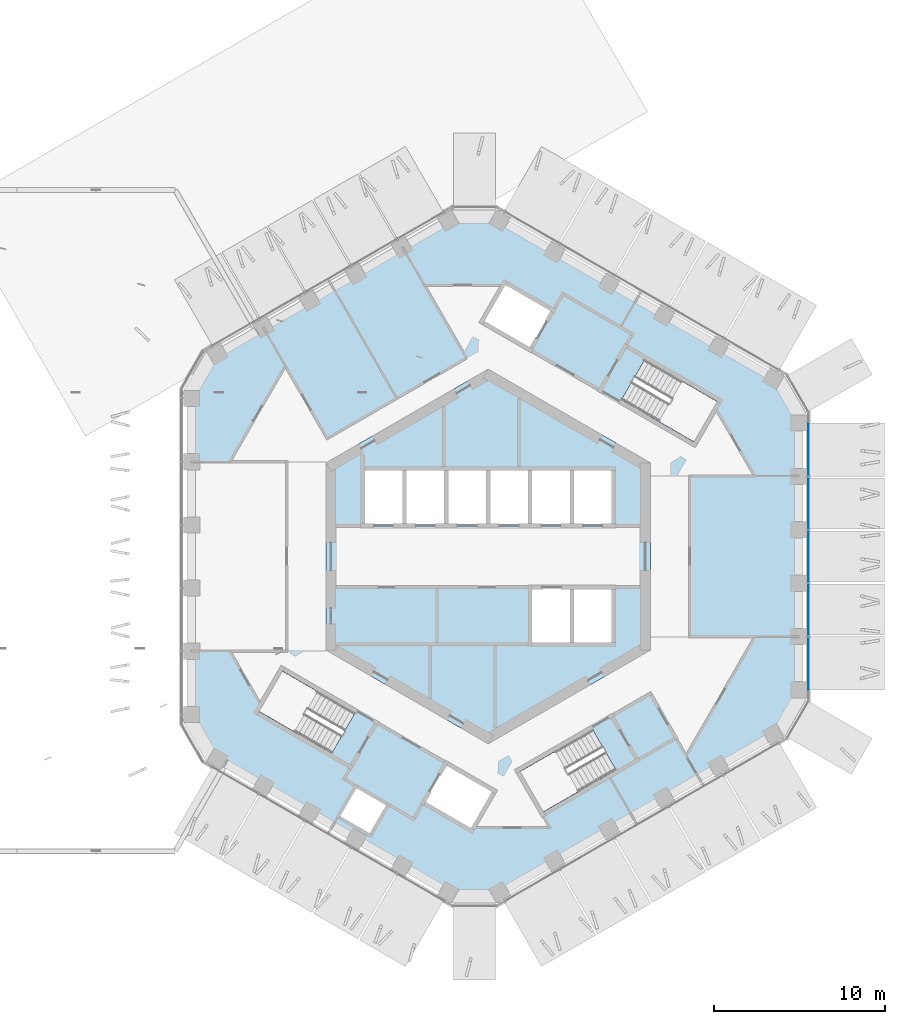
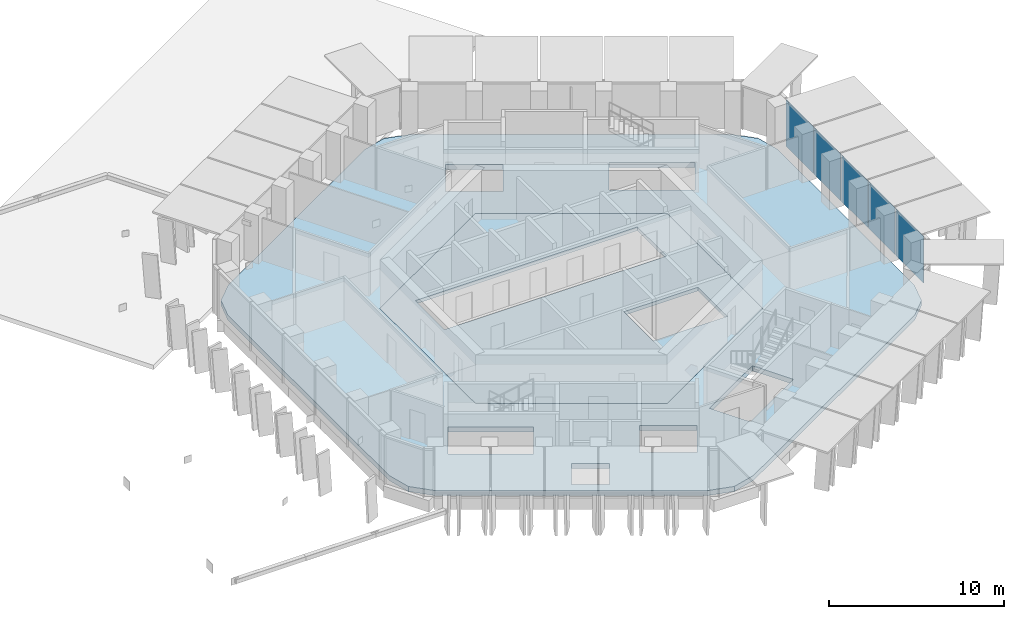
# One storey, part 9 of 23: 5 plates, 2 slabs, 1 element without a shape of its own.
"""IFC4 building model written with IfcOpenShell, lengths in metres."""

from ifc_helpers import new_model, si_unit, direction, frame, origin, origin_2d, place, context, subcontext, project, spatial, polyline, rectangle, outline, extrude, material, layer, layer_set, type_object, element, aggregate, save


model = new_model("IFC4")

# Units and contexts
model_context = context("Model", 3, precision=1e-05, world=origin(), true_north=direction((0.0, 1.0)))
body_context = subcontext(model_context, "Body", "Model", "MODEL_VIEW")
ifc_project = project(units=[si_unit("LENGTHUNIT", "METRE"), si_unit("AREAUNIT", "SQUARE_METRE"), si_unit("VOLUMEUNIT", "CUBIC_METRE"), si_unit("PLANEANGLEUNIT", "RADIAN"), si_unit("MASSUNIT", "GRAM", prefix="KILO")], contexts=[model_context])

# Site, building, storey
site_placement = place(None, origin())
site = spatial("IfcSite", under=ifc_project, at=site_placement, CompositionType="ELEMENT")
building_placement = place(site_placement, origin())
building = spatial("IfcBuilding", under=site, at=building_placement, Name="Ayvan Gate Tower", CompositionType="ELEMENT")
storey_placement = place(building_placement, frame((0.0, 0.0, 198.699951171875)))
storey = spatial("IfcBuildingStorey", under=building, at=storey_placement, Name="L53", CompositionType="ELEMENT", Elevation=198.699951171875)

# Slabs
ifc_material_1 = material(Name="Concrete C40/50", Category="concrete")
ifc_layer_1 = layer(ifc_material_1, 0.35009765625)
ifc_layer_set_1 = layer_set([ifc_layer_1], Name="Concrete C40/50")
slab_type_1 = type_object("IfcSlabType", Name="Post-tensioned flat slab 350", PredefinedType="FLOOR", material=ifc_layer_set_1)
slab_1_placement = place(storey_placement, frame((0.0, 0.0, -0.349853515625)))
element("IfcSlab", 1, at=slab_1_placement, inside=storey, type_object=slab_type_1, Name="SL-L53", PredefinedType="FLOOR", context=body_context, shape_type="SweptSolid", body=[
    extrude(outline(polyline([(-0.802978515625, -20.072265625), (-2.302978515625, -19.67041015625), (-15.883544921875, -11.82958984375), (-16.981689453125, -10.7314453125), (-17.383544921875, -9.2314453125), (-17.383544921875, 9.2314453125), (-16.981689453125, 10.7314453125), (-15.883544921875, 11.82958984375), (-2.302978515625, 19.67041015625), (-0.802978515625, 20.072265625), (0.697021484375, 19.67041015625), (16.6865234375, 10.43896484375), (17.78466796875, 9.3408203125), (18.1865234375, 7.8408203125), (18.1865234375, -7.8408203125), (17.78466796875, -9.3408203125), (16.6865234375, -10.43896484375), (0.697021484375, -19.67041015625), (-0.802978515625, -20.072265625)]), holes=[polyline([(13.404541015625, 9.0673828125), (9.1611328125, 11.517578125), (7.80615234375, 9.170654296875), (12.049560546875, 6.720458984375), (13.404541015625, 9.0673828125)]), polyline([(0.0, 10.9697265625), (-9.5, 5.48486328125), (-9.5, -5.48486328125), (0.0, -10.9697265625), (9.5, -5.48486328125), (9.5, 5.48486328125), (0.0, 10.9697265625)]), polyline([(3.228759765625, -14.9423828125), (7.472412109375, -12.492431640625), (6.117431640625, -10.1455078125), (1.873779296875, -12.595458984375), (3.228759765625, -14.9423828125)]), polyline([(0.964599609375, 16.07080078125), (-0.385498046875, 13.732421875), (2.472412109375, 12.08251953125), (3.822509765625, 14.420654296875), (0.964599609375, 16.07080078125)]), polyline([(0.385498046875, -13.732421875), (-2.472412109375, -12.08251953125), (-3.822509765625, -14.420654296875), (-0.964599609375, -16.07080078125), (-0.85009765625, -15.872314453125), (0.385498046875, -13.732421875)]), polyline([(-6.894775390625, -16.342041015625), (-5.8447265625, -14.5234375), (-7.75, -13.42333984375), (-8.800048828125, -15.241943359375), (-6.894775390625, -16.342041015625)]), polyline([(-7.80615234375, -9.170654296875), (-12.049560546875, -6.720458984375), (-13.404541015625, -9.0673828125), (-9.1611328125, -11.517578125), (-7.80615234375, -9.170654296875)])]), origin(), (0.0, 0.0, 1.0), 0.349853515625),
])
ifc_layer_2 = layer(ifc_material_1, 0.25)
ifc_layer_set_2 = layer_set([ifc_layer_2], Name="Concrete C40/50")
slab_type_2 = type_object("IfcSlabType", Name="SL-CORE-250", PredefinedType="FLOOR", material=ifc_layer_set_2)
slab_2_placement = place(storey_placement, frame((0.0, 0.0, -0.25)))
element("IfcSlab", 2, at=slab_2_placement, inside=storey, type_object=slab_type_2, Name="CS-L53", PredefinedType="FLOOR", context=body_context, shape_type="SweptSolid", body=[
    extrude(outline(polyline([(9.5, -5.48486328125), (0.0, -10.9697265625), (-9.5, -5.48486328125), (-9.5, 5.48486328125), (0.0, 10.9697265625), (9.5, 5.48486328125), (9.5, -5.48486328125)]), holes=[polyline([(-7.35009765625, 5.14990234375), (-7.35009765625, 1.800048828125), (7.35009765625, 1.800048828125), (7.35009765625, 5.14990234375), (-7.35009765625, 5.14990234375)]), polyline([(2.449951171875, -1.800048828125), (2.449951171875, -5.14990234375), (7.35009765625, -5.14990234375), (7.35009765625, -1.800048828125), (2.449951171875, -1.800048828125)])]), origin(), (0.0, 0.0, 1.0), 0.25),
])

# Curtain wall, plates
ifc_material_2 = material(Name="Bronze anodised aluminium", Category="aluminium")
ifc_layer_3 = layer(ifc_material_2, 0.199951171875)
ifc_layer_set_3 = layer_set([ifc_layer_3], Name="Bronze anodised aluminium")
curtain_wall_type = type_object("IfcCurtainWallType", Name="Stick curtain wall CW-2", PredefinedType="NOTDEFINED", material=ifc_layer_set_3)
curtain_wall_placement = place(storey_placement, origin())
curtain_wall = element("IfcCurtainWall", 3, at=curtain_wall_placement, inside=storey, type_object=curtain_wall_type, Name="Stick curtain wall CW-2 L53", PredefinedType="NOTDEFINED")
ifc_material_3 = material(Name="Clear low-iron laminated glass", Category="glass")
ifc_layer_4 = layer(ifc_material_3, 0.028076171875)
ifc_layer_set_4 = layer_set([ifc_layer_4], Name="Clear low-iron laminated glass")
plate_type = type_object("IfcPlateType", Name="Stick curtain wall CW-2 glass panel", PredefinedType="CURTAIN_PANEL", material=ifc_layer_set_4)
plate_1_placement = place(storey_placement, frame((18.761474609375, -6.300048828125, 0.0), z_axis=(0.0, 0.0, 1.0), x_axis=(0.0, 1.0, 0.0)))
plate_1 = element("IfcPlate", 4, at=plate_1_placement, type_object=plate_type, Name="CW-2 glass panel 1", PredefinedType="CURTAIN_PANEL", context=body_context, shape_type="SweptSolid", body=[
    extrude(rectangle(XDim=3.1630859375, YDim=0.028076171875, at=origin_2d()), origin(), (0.0, 0.0, 1.0), 3.280029296875),
])
plate_2_placement = place(storey_placement, frame((18.761474609375, -3.12255859375, 0.0), z_axis=(0.0, 0.0, 1.0), x_axis=(0.0, 1.0, 0.0)))
plate_2 = element("IfcPlate", 5, at=plate_2_placement, type_object=plate_type, Name="CW-2 glass panel 2", PredefinedType="CURTAIN_PANEL", context=body_context, shape_type="SweptSolid", body=[
    extrude(rectangle(XDim=3.052001953125, YDim=0.028076171875, at=origin_2d()), origin(), (0.0, 0.0, 1.0), 3.280029296875),
])
plate_3_placement = place(storey_placement, frame((18.761474609375, 0.0, 0.0), z_axis=(0.0, 0.0, 1.0), x_axis=(0.0, 1.0, 0.0)))
plate_3 = element("IfcPlate", 6, at=plate_3_placement, type_object=plate_type, Name="CW-2 glass panel 3", PredefinedType="CURTAIN_PANEL", context=body_context, shape_type="SweptSolid", body=[
    extrude(rectangle(XDim=3.052978515625, YDim=0.028076171875, at=origin_2d()), origin(), (0.0, 0.0, 1.0), 3.280029296875),
])
plate_4_placement = place(storey_placement, frame((18.761474609375, 3.12255859375, 0.0), z_axis=(0.0, 0.0, 1.0), x_axis=(0.0, 1.0, 0.0)))
plate_4 = element("IfcPlate", 7, at=plate_4_placement, type_object=plate_type, Name="CW-2 glass panel 4", PredefinedType="CURTAIN_PANEL", context=body_context, shape_type="SweptSolid", body=[
    extrude(rectangle(XDim=3.052001953125, YDim=0.028076171875, at=origin_2d()), origin(), (0.0, 0.0, 1.0), 3.280029296875),
])
plate_5_placement = place(storey_placement, frame((18.761474609375, 6.300048828125, 0.0), z_axis=(0.0, 0.0, 1.0), x_axis=(0.0, 1.0, 0.0)))
plate_5 = element("IfcPlate", 8, at=plate_5_placement, type_object=plate_type, Name="CW-2 glass panel 5", PredefinedType="CURTAIN_PANEL", context=body_context, shape_type="SweptSolid", body=[
    extrude(rectangle(XDim=3.1630859375, YDim=0.028076171875, at=origin_2d()), origin(), (0.0, 0.0, 1.0), 3.280029296875),
])
aggregate(curtain_wall, [plate_1, plate_2, plate_3, plate_4, plate_5])

save(model, "model.ifc")
